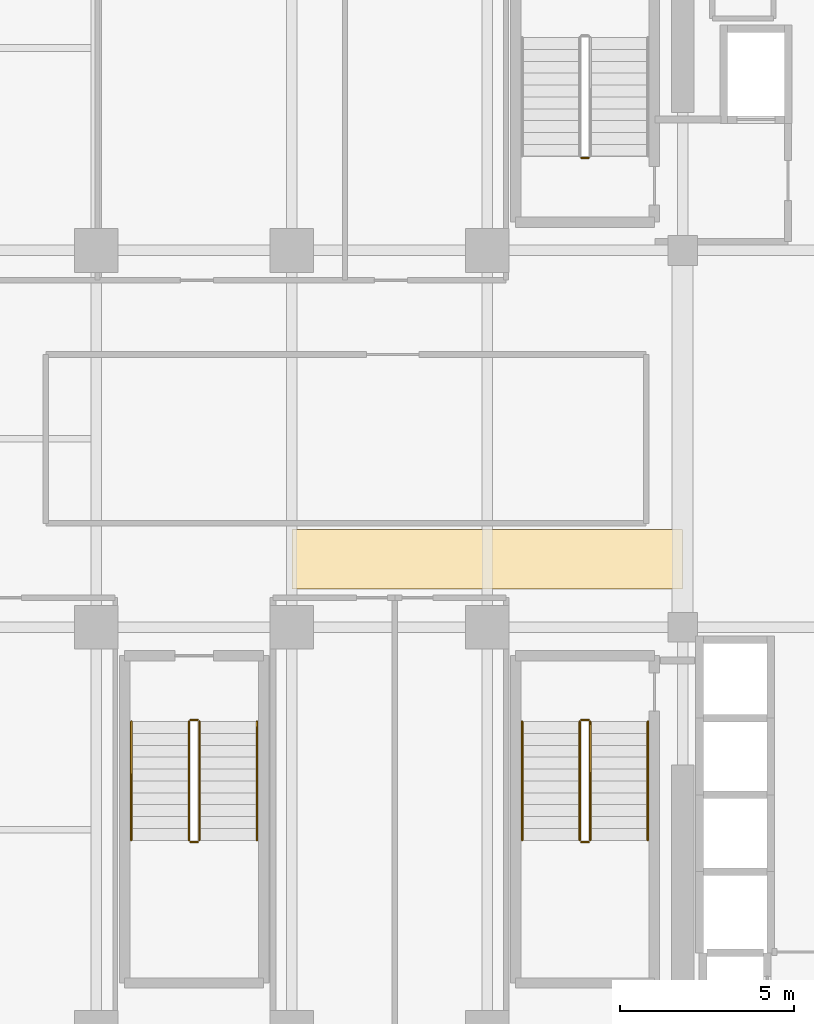
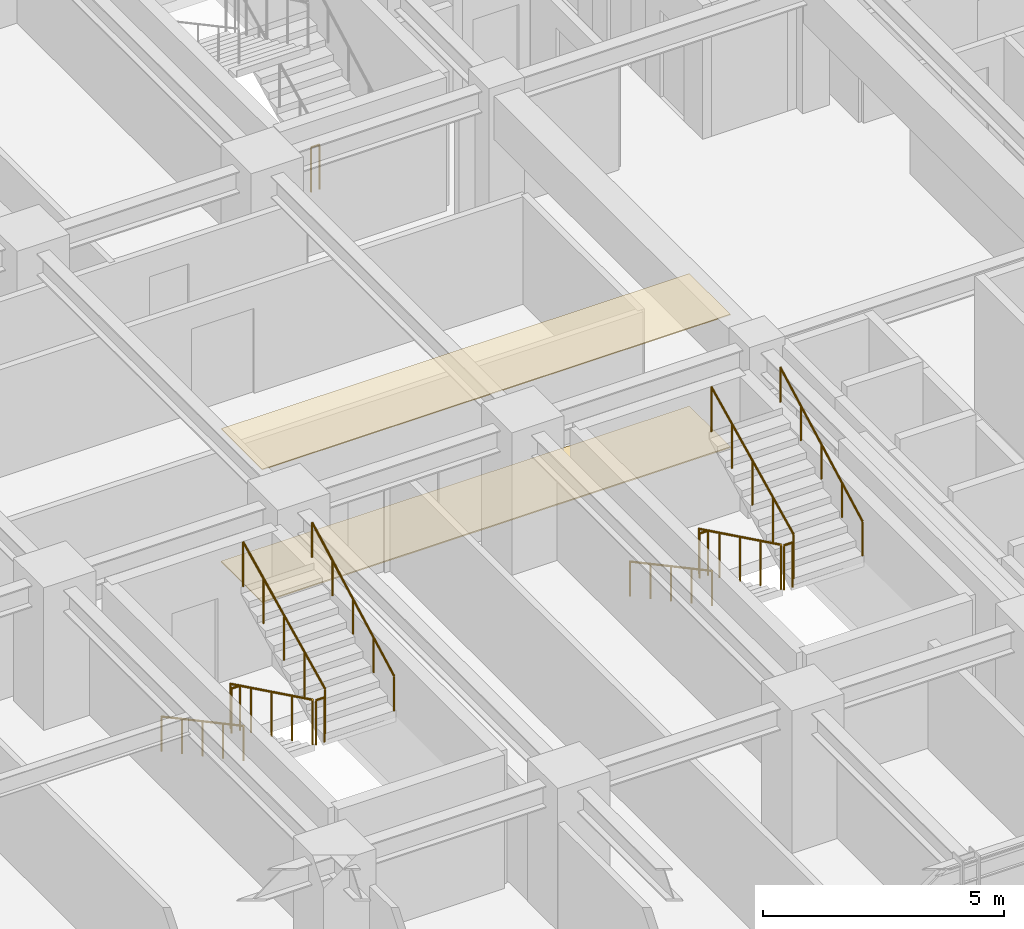
# One storey, part 36 of 39: 13 railings, 2 coverings.
"""IFC4 building model written with IfcOpenShell, lengths in metres."""

from ifc_helpers import new_model, si_unit, direction, frame, origin, origin_2d, place, context, subcontext, project, spatial, polyline, circle, outline, extrude, material, layer, layer_set, type_object, element, save


model = new_model("IFC4")

# Units and contexts
model_context = context("Model", 3, precision=1e-05, world=origin(), true_north=direction((0.0, 1.0)))
body_context = subcontext(model_context, "Body", "Model", "MODEL_VIEW")
ifc_project = project(units=[si_unit("LENGTHUNIT", "METRE"), si_unit("AREAUNIT", "SQUARE_METRE"), si_unit("VOLUMEUNIT", "CUBIC_METRE"), si_unit("PLANEANGLEUNIT", "RADIAN"), si_unit("MASSUNIT", "GRAM", prefix="KILO")], contexts=[model_context])

# Site, building, storey
site_placement = place(None, origin())
site = spatial("IfcSite", under=ifc_project, at=site_placement, CompositionType="ELEMENT")
building_placement = place(site_placement, origin())
building = spatial("IfcBuilding", under=site, at=building_placement, Name="Nahalor Promenade Grand Hotel", CompositionType="ELEMENT")
storey_placement = place(building_placement, frame((0.0, 0.0, 135.75)))
storey = spatial("IfcBuildingStorey", under=building, at=storey_placement, Name="L34", CompositionType="ELEMENT", Elevation=135.75)

# Coverings
ifc_material_1 = material(Name="Acoustic Mineral Gypsum", Category="gypsum")
ifc_layer_1 = layer(ifc_material_1, 0.02490234375)
ifc_layer_set_1 = layer_set([ifc_layer_1], Name="Acoustic Mineral Gypsum")
covering_type_1 = type_object("IfcCoveringType", Name="Acoustic Suspended Ceiling Tile", PredefinedType="CEILING", material=ifc_layer_set_1)
covering_1_placement = place(storey_placement, frame((0.0, 0.0, 3.35498046875)))
element("IfcCovering", 1, at=covering_1_placement, inside=storey, type_object=covering_type_1, Name="CV-CEIL-L34", PredefinedType="CEILING", context=body_context, shape_type="SweptSolid", body=[
    extrude(outline(polyline([(-2.800048828125, -4.300048828125), (8.39990234375, -4.300048828125), (8.39990234375, -2.60009765625), (-2.800048828125, -2.60009765625), (-2.800048828125, -4.300048828125)])), origin(), (0.0, 0.0, 1.0), 0.02490234375),
])
ifc_material_2 = material(Name="Jerusalem Limestone Flooring", Category="masonry")
ifc_layer_2 = layer(ifc_material_2, 0.030029296875)
ifc_layer_set_2 = layer_set([ifc_layer_2], Name="Jerusalem Limestone Flooring")
covering_type_2 = type_object("IfcCoveringType", Name="Honed Limestone Floor Finish", PredefinedType="FLOORING", material=ifc_layer_set_2)
covering_2_placement = place(storey_placement, origin())
element("IfcCovering", 2, at=covering_2_placement, inside=storey, type_object=covering_type_2, Name="CV-FLOR-L34", PredefinedType="FLOORING", context=body_context, shape_type="SweptSolid", body=[
    extrude(outline(polyline([(-2.800048828125, -4.300048828125), (8.39990234375, -4.300048828125), (8.39990234375, -2.60009765625), (-2.800048828125, -2.60009765625), (-2.800048828125, -4.300048828125)])), origin(), (0.0, 0.0, 1.0), 0.030029296875),
])

# Railings
ifc_material_3 = material(Name="Steel S355JR", Category="steel")
railing_type_1 = type_object("IfcRailingType", Name="Steel Stair Guardrail 1150 mm", PredefinedType="GUARDRAIL", material=ifc_material_3)
railing_1_placement = place(storey_placement, frame((5.699951171875, 8.050048828125, 0.0)))
element("IfcRailing", 3, at=railing_1_placement, inside=storey, type_object=railing_type_1, Name="L34 ST1 stair guard 4", PredefinedType="GUARDRAIL", context=body_context, shape_type="SweptSolid", body=[
    extrude(circle(Radius=0.024048, at=origin_2d()), frame((0.0, 0.0, 1.1259765625), z_axis=(-1.0, 0.0, 0.0), x_axis=(0.0, -1.0, 0.0)), (0.0, 0.0, 1.0), 0.199951171875),
    extrude(circle(Radius=0.020996, at=origin_2d()), origin(), (0.0, 0.0, 1.0), 1.099853515625),
    extrude(circle(Radius=0.020996, at=origin_2d()), frame((-0.199951171875, 0.0, 0.0)), (0.0, 0.0, 1.0), 1.099853515625),
])
railing_2_placement = place(storey_placement, frame((5.449951171875, -8.10009765625, 0.166015625)))
element("IfcRailing", 4, at=railing_2_placement, inside=storey, type_object=railing_type_1, Name="L34 ST2 stair guard 1", PredefinedType="GUARDRAIL", context=body_context, shape_type="SweptSolid", body=[
    extrude(circle(Radius=0.024048, at=origin_2d()), frame((0.0, 0.0, 1.1259765625), z_axis=(0.0, -0.898721922897, 0.438518990814), x_axis=(1.0, 0.0, 0.0)), (0.0, 0.0, 1.0), 3.782958984375),
    extrude(circle(Radius=0.020996, at=origin_2d()), origin(), (0.0, 0.0, 1.0), 1.099853515625),
    extrude(circle(Radius=0.020996, at=origin_2d()), frame((0.0, -0.85009765625, 0.414794921875)), (0.0, 0.0, 1.0), 1.099853515625),
    extrude(circle(Radius=0.020996, at=origin_2d()), frame((0.0, -1.699951171875, 0.82958984375)), (0.0, 0.0, 1.0), 1.099853515625),
    extrude(circle(Radius=0.020996, at=origin_2d()), frame((0.0, -2.5498046875, 1.244140625)), (0.0, 0.0, 1.0), 1.099853515625),
    extrude(circle(Radius=0.020996, at=origin_2d()), frame((0.0, -3.39990234375, 1.658935546875)), (0.0, 0.0, 1.0), 1.099853515625),
])
railing_3_placement = place(storey_placement, frame((5.5, -11.550048828125, 1.824951171875)))
element("IfcRailing", 5, at=railing_3_placement, inside=storey, type_object=railing_type_1, Name="L34 ST2 stair guard 2", PredefinedType="GUARDRAIL", context=body_context, shape_type="SweptSolid", body=[
    extrude(circle(Radius=0.024048, at=origin_2d()), frame((0.0, 0.0, 1.1259765625), z_axis=(1.0, 0.0, 0.0), x_axis=(0.0, 1.0, 0.0)), (0.0, 0.0, 1.0), 0.199951171875),
    extrude(circle(Radius=0.020996, at=origin_2d()), origin(), (0.0, 0.0, 1.0), 1.099853515625),
    extrude(circle(Radius=0.020996, at=origin_2d()), frame((0.199951171875, 0.0, 0.0)), (0.0, 0.0, 1.0), 1.099853515625),
])
railing_4_placement = place(storey_placement, frame((5.75, -11.5, 1.990966796875)))
element("IfcRailing", 6, at=railing_4_placement, inside=storey, type_object=railing_type_1, Name="L34 ST2 stair guard 3", PredefinedType="GUARDRAIL", context=body_context, shape_type="SweptSolid", body=[
    extrude(circle(Radius=0.024048, at=origin_2d()), frame((0.0, 0.0, 1.1259765625), z_axis=(0.0, 0.898721922897, 0.438518990814), x_axis=(-1.0, 0.0, 0.0)), (0.0, 0.0, 1.0), 3.782958984375),
    extrude(circle(Radius=0.020996, at=origin_2d()), origin(), (0.0, 0.0, 1.0), 1.099853515625),
    extrude(circle(Radius=0.020996, at=origin_2d()), frame((0.0, 0.85009765625, 0.414794921875)), (0.0, 0.0, 1.0), 1.099853515625),
    extrude(circle(Radius=0.020996, at=origin_2d()), frame((0.0, 1.699951171875, 0.82958984375)), (0.0, 0.0, 1.0), 1.099853515625),
    extrude(circle(Radius=0.020996, at=origin_2d()), frame((0.0, 2.5498046875, 1.244140625)), (0.0, 0.0, 1.0), 1.099853515625),
    extrude(circle(Radius=0.020996, at=origin_2d()), frame((0.0, 3.39990234375, 1.658935546875)), (0.0, 0.0, 1.0), 1.099853515625),
])
railing_5_placement = place(storey_placement, frame((5.5, -8.050048828125, 0.0)))
element("IfcRailing", 7, at=railing_5_placement, inside=storey, type_object=railing_type_1, Name="L34 ST2 stair guard 4", PredefinedType="GUARDRAIL", context=body_context, shape_type="SweptSolid", body=[
    extrude(circle(Radius=0.024048, at=origin_2d()), frame((0.0, 0.0, 1.1259765625), z_axis=(1.0, 0.0, 0.0), x_axis=(0.0, 1.0, 0.0)), (0.0, 0.0, 1.0), 0.199951171875),
    extrude(circle(Radius=0.020996, at=origin_2d()), origin(), (0.0, 0.0, 1.0), 1.099853515625),
    extrude(circle(Radius=0.020996, at=origin_2d()), frame((0.199951171875, 0.0, 0.0)), (0.0, 0.0, 1.0), 1.099853515625),
])
railing_6_placement = place(storey_placement, frame((-5.75, -8.10009765625, 0.166015625)))
element("IfcRailing", 8, at=railing_6_placement, inside=storey, type_object=railing_type_1, Name="L34 ST3 stair guard 1", PredefinedType="GUARDRAIL", context=body_context, shape_type="SweptSolid", body=[
    extrude(circle(Radius=0.024048, at=origin_2d()), frame((0.0, 0.0, 1.1259765625), z_axis=(0.0, -0.898721922897, 0.438518990814), x_axis=(1.0, 0.0, 0.0)), (0.0, 0.0, 1.0), 3.782958984375),
    extrude(circle(Radius=0.020996, at=origin_2d()), origin(), (0.0, 0.0, 1.0), 1.099853515625),
    extrude(circle(Radius=0.020996, at=origin_2d()), frame((0.0, -0.85009765625, 0.414794921875)), (0.0, 0.0, 1.0), 1.099853515625),
    extrude(circle(Radius=0.020996, at=origin_2d()), frame((0.0, -1.699951171875, 0.82958984375)), (0.0, 0.0, 1.0), 1.099853515625),
    extrude(circle(Radius=0.020996, at=origin_2d()), frame((0.0, -2.5498046875, 1.244140625)), (0.0, 0.0, 1.0), 1.099853515625),
    extrude(circle(Radius=0.020996, at=origin_2d()), frame((0.0, -3.39990234375, 1.658935546875)), (0.0, 0.0, 1.0), 1.099853515625),
])
railing_7_placement = place(storey_placement, frame((-5.699951171875, -11.550048828125, 1.824951171875)))
element("IfcRailing", 9, at=railing_7_placement, inside=storey, type_object=railing_type_1, Name="L34 ST3 stair guard 2", PredefinedType="GUARDRAIL", context=body_context, shape_type="SweptSolid", body=[
    extrude(circle(Radius=0.024048, at=origin_2d()), frame((0.0, 0.0, 1.1259765625), z_axis=(1.0, 0.0, 0.0), x_axis=(0.0, 1.0, 0.0)), (0.0, 0.0, 1.0), 0.199951171875),
    extrude(circle(Radius=0.020996, at=origin_2d()), origin(), (0.0, 0.0, 1.0), 1.099853515625),
    extrude(circle(Radius=0.020996, at=origin_2d()), frame((0.199951171875, 0.0, 0.0)), (0.0, 0.0, 1.0), 1.099853515625),
])
railing_8_placement = place(storey_placement, frame((-5.449951171875, -11.5, 1.990966796875)))
element("IfcRailing", 10, at=railing_8_placement, inside=storey, type_object=railing_type_1, Name="L34 ST3 stair guard 3", PredefinedType="GUARDRAIL", context=body_context, shape_type="SweptSolid", body=[
    extrude(circle(Radius=0.024048, at=origin_2d()), frame((0.0, 0.0, 1.1259765625), z_axis=(0.0, 0.898721922897, 0.438518990814), x_axis=(-1.0, 0.0, 0.0)), (0.0, 0.0, 1.0), 3.782958984375),
    extrude(circle(Radius=0.020996, at=origin_2d()), origin(), (0.0, 0.0, 1.0), 1.099853515625),
    extrude(circle(Radius=0.020996, at=origin_2d()), frame((0.0, 0.85009765625, 0.414794921875)), (0.0, 0.0, 1.0), 1.099853515625),
    extrude(circle(Radius=0.020996, at=origin_2d()), frame((0.0, 1.699951171875, 0.82958984375)), (0.0, 0.0, 1.0), 1.099853515625),
    extrude(circle(Radius=0.020996, at=origin_2d()), frame((0.0, 2.5498046875, 1.244140625)), (0.0, 0.0, 1.0), 1.099853515625),
    extrude(circle(Radius=0.020996, at=origin_2d()), frame((0.0, 3.39990234375, 1.658935546875)), (0.0, 0.0, 1.0), 1.099853515625),
])
railing_9_placement = place(storey_placement, frame((-5.699951171875, -8.050048828125, 0.0)))
element("IfcRailing", 11, at=railing_9_placement, inside=storey, type_object=railing_type_1, Name="L34 ST3 stair guard 4", PredefinedType="GUARDRAIL", context=body_context, shape_type="SweptSolid", body=[
    extrude(circle(Radius=0.024048, at=origin_2d()), frame((0.0, 0.0, 1.1259765625), z_axis=(1.0, 0.0, 0.0), x_axis=(0.0, 1.0, 0.0)), (0.0, 0.0, 1.0), 0.199951171875),
    extrude(circle(Radius=0.020996, at=origin_2d()), origin(), (0.0, 0.0, 1.0), 1.099853515625),
    extrude(circle(Radius=0.020996, at=origin_2d()), frame((0.199951171875, 0.0, 0.0)), (0.0, 0.0, 1.0), 1.099853515625),
])
railing_type_2 = type_object("IfcRailingType", Name="Steel Stair Handrail 900 mm", PredefinedType="HANDRAIL", material=ifc_material_3)
railing_10_placement = place(storey_placement, frame((3.800048828125, -8.10009765625, 0.166015625)))
element("IfcRailing", 12, at=railing_10_placement, inside=storey, type_object=railing_type_2, Name="L34 ST2 stair handrail 1", PredefinedType="HANDRAIL", context=body_context, shape_type="SweptSolid", body=[
    extrude(circle(Radius=0.024048, at=origin_2d()), frame((0.0, 0.0, 0.8759765625), z_axis=(0.0, -0.881094038095, 0.47294111265), x_axis=(1.0, 0.0, 0.0)), (0.0, 0.0, 1.0), 3.858642578125),
    extrude(circle(Radius=0.020996, at=origin_2d()), origin(), (0.0, 0.0, 1.0), 0.849853515625),
    extrude(circle(Radius=0.020996, at=origin_2d()), frame((0.0, -0.85009765625, 0.456298828125)), (0.0, 0.0, 1.0), 0.849853515625),
    extrude(circle(Radius=0.020996, at=origin_2d()), frame((0.0, -1.699951171875, 0.91259765625)), (0.0, 0.0, 1.0), 0.849853515625),
    extrude(circle(Radius=0.020996, at=origin_2d()), frame((0.0, -2.5498046875, 1.36865234375)), (0.0, 0.0, 1.0), 0.849853515625),
    extrude(circle(Radius=0.020996, at=origin_2d()), frame((0.0, -3.39990234375, 1.824951171875)), (0.0, 0.0, 1.0), 0.849853515625),
])
railing_11_placement = place(storey_placement, frame((7.39990234375, -11.5, 1.990966796875)))
element("IfcRailing", 13, at=railing_11_placement, inside=storey, type_object=railing_type_2, Name="L34 ST2 stair handrail 2", PredefinedType="HANDRAIL", context=body_context, shape_type="SweptSolid", body=[
    extrude(circle(Radius=0.024048, at=origin_2d()), frame((0.0, 0.0, 0.8759765625), z_axis=(0.0, 0.881094038095, 0.47294111265), x_axis=(-1.0, 0.0, 0.0)), (0.0, 0.0, 1.0), 3.858642578125),
    extrude(circle(Radius=0.020996, at=origin_2d()), origin(), (0.0, 0.0, 1.0), 0.849853515625),
    extrude(circle(Radius=0.020996, at=origin_2d()), frame((0.0, 0.85009765625, 0.456298828125)), (0.0, 0.0, 1.0), 0.849853515625),
    extrude(circle(Radius=0.020996, at=origin_2d()), frame((0.0, 1.699951171875, 0.91259765625)), (0.0, 0.0, 1.0), 0.849853515625),
    extrude(circle(Radius=0.020996, at=origin_2d()), frame((0.0, 2.5498046875, 1.36865234375)), (0.0, 0.0, 1.0), 0.849853515625),
    extrude(circle(Radius=0.020996, at=origin_2d()), frame((0.0, 3.39990234375, 1.824951171875)), (0.0, 0.0, 1.0), 0.849853515625),
])
railing_12_placement = place(storey_placement, frame((-7.39990234375, -8.10009765625, 0.166015625)))
element("IfcRailing", 14, at=railing_12_placement, inside=storey, type_object=railing_type_2, Name="L34 ST3 stair handrail 1", PredefinedType="HANDRAIL", context=body_context, shape_type="SweptSolid", body=[
    extrude(circle(Radius=0.024048, at=origin_2d()), frame((0.0, 0.0, 0.8759765625), z_axis=(0.0, -0.881094038095, 0.47294111265), x_axis=(1.0, 0.0, 0.0)), (0.0, 0.0, 1.0), 3.858642578125),
    extrude(circle(Radius=0.020996, at=origin_2d()), origin(), (0.0, 0.0, 1.0), 0.849853515625),
    extrude(circle(Radius=0.020996, at=origin_2d()), frame((0.0, -0.85009765625, 0.456298828125)), (0.0, 0.0, 1.0), 0.849853515625),
    extrude(circle(Radius=0.020996, at=origin_2d()), frame((0.0, -1.699951171875, 0.91259765625)), (0.0, 0.0, 1.0), 0.849853515625),
    extrude(circle(Radius=0.020996, at=origin_2d()), frame((0.0, -2.5498046875, 1.36865234375)), (0.0, 0.0, 1.0), 0.849853515625),
    extrude(circle(Radius=0.020996, at=origin_2d()), frame((0.0, -3.39990234375, 1.824951171875)), (0.0, 0.0, 1.0), 0.849853515625),
])
railing_13_placement = place(storey_placement, frame((-3.800048828125, -11.5, 1.990966796875)))
element("IfcRailing", 15, at=railing_13_placement, inside=storey, type_object=railing_type_2, Name="L34 ST3 stair handrail 2", PredefinedType="HANDRAIL", context=body_context, shape_type="SweptSolid", body=[
    extrude(circle(Radius=0.024048, at=origin_2d()), frame((0.0, 0.0, 0.8759765625), z_axis=(0.0, 0.881094038095, 0.47294111265), x_axis=(-1.0, 0.0, 0.0)), (0.0, 0.0, 1.0), 3.858642578125),
    extrude(circle(Radius=0.020996, at=origin_2d()), origin(), (0.0, 0.0, 1.0), 0.849853515625),
    extrude(circle(Radius=0.020996, at=origin_2d()), frame((0.0, 0.85009765625, 0.456298828125)), (0.0, 0.0, 1.0), 0.849853515625),
    extrude(circle(Radius=0.020996, at=origin_2d()), frame((0.0, 1.699951171875, 0.91259765625)), (0.0, 0.0, 1.0), 0.849853515625),
    extrude(circle(Radius=0.020996, at=origin_2d()), frame((0.0, 2.5498046875, 1.36865234375)), (0.0, 0.0, 1.0), 0.849853515625),
    extrude(circle(Radius=0.020996, at=origin_2d()), frame((0.0, 3.39990234375, 1.824951171875)), (0.0, 0.0, 1.0), 0.849853515625),
])

save(model, "model.ifc")
